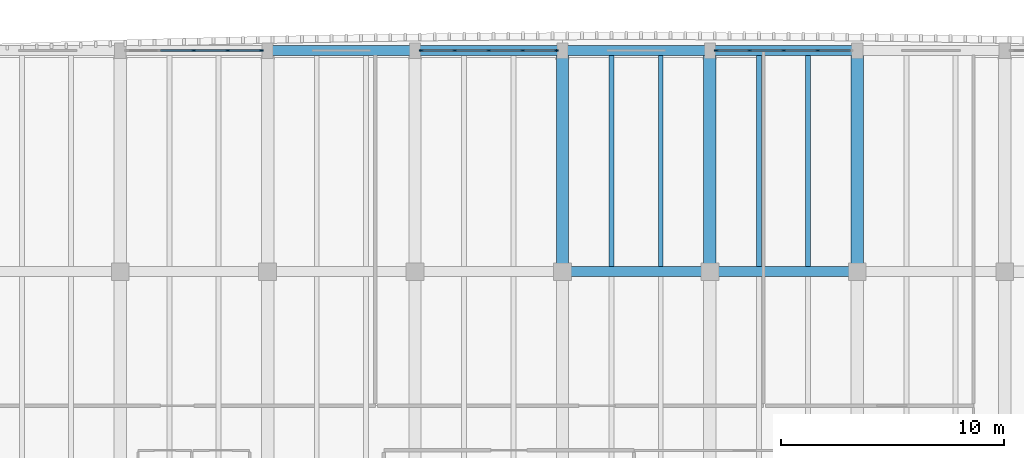
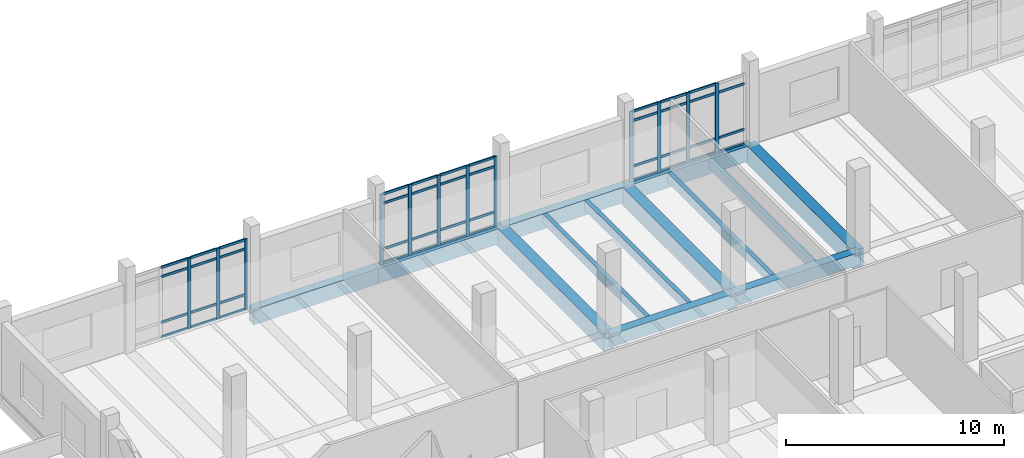
# One storey, part 44 of 101: 55 members, 13 beams, 3 elements without a shape of their own.
"""IFC4 building model written with IfcOpenShell, lengths in metres."""

from ifc_helpers import new_model, si_unit, direction, frame, origin, origin_2d, place, context, subcontext, project, spatial, rectangle, extrude, material, material_profile, profile_set, type_object, element, aggregate, save


model = new_model("IFC4")

# Units and contexts
model_context = context("Model", 3, precision=1e-05, world=origin(), true_north=direction((0.0, 1.0)))
body_context = subcontext(model_context, "Body", "Model", "MODEL_VIEW")
ifc_project = project(units=[si_unit("LENGTHUNIT", "METRE"), si_unit("AREAUNIT", "SQUARE_METRE"), si_unit("VOLUMEUNIT", "CUBIC_METRE"), si_unit("PLANEANGLEUNIT", "RADIAN"), si_unit("MASSUNIT", "GRAM", prefix="KILO")], contexts=[model_context])

# Site, building, storey
site_placement = place(None, origin())
site = spatial("IfcSite", under=ifc_project, at=site_placement, CompositionType="ELEMENT")
building_placement = place(site_placement, origin())
building = spatial("IfcBuilding", under=site, at=building_placement, Name="Dornvale Research Institute", CompositionType="ELEMENT")
storey_placement = place(building_placement, frame((0.0, 0.0, 10.199951171875)))
storey = spatial("IfcBuildingStorey", under=building, at=storey_placement, Name="L02", CompositionType="ELEMENT", Elevation=10.199951171875)

# Beams
ifc_material_1 = material(Name="Concrete f'c 45 MPa (C35/45)", Category="concrete")
ifc_material_profile_1 = material_profile(ifc_material_1, rectangle(XDim=0.449951171875, YDim=0.715087890625, at=origin_2d()), Name="RC 450x715")
ifc_profile_set_1 = profile_set([ifc_material_profile_1], Name="Concrete f'c 45 MPa (C35/45)")
beam_type_1 = type_object("IfcBeamType", Name="Beam_RC450x715_Lab", PredefinedType="BEAM", material=ifc_profile_set_1)
beam_1_placement = place(storey_placement, frame((145.199951171875, 112.199951171875, -0.357421875), z_axis=(1.0, 0.0, 0.0), x_axis=(0.0, 1.0, 0.0)))
element("IfcBeam", 1, at=beam_1_placement, inside=storey, type_object=beam_type_1, Name="L02 primary girder #657", PredefinedType="BEAM", context=body_context, shape_type="SweptSolid", body=[
    extrude(rectangle(XDim=0.449951171875, YDim=0.715087890625, at=origin_2d()), origin(), (0.0, 0.0, 1.0), 6.60009765625),
])
beam_2_placement = place(storey_placement, frame((151.800048828125, 112.199951171875, -0.357421875), z_axis=(1.0, 0.0, 0.0), x_axis=(0.0, 1.0, 0.0)))
element("IfcBeam", 2, at=beam_2_placement, inside=storey, type_object=beam_type_1, Name="L02 primary girder #658", PredefinedType="BEAM", context=body_context, shape_type="SweptSolid", body=[
    extrude(rectangle(XDim=0.449951171875, YDim=0.715087890625, at=origin_2d()), origin(), (0.0, 0.0, 1.0), 6.599853515625),
])
ifc_material_2 = material(Name="Concrete f'c 45 MPa (C35/45)", Category="concrete")
ifc_material_profile_2 = material_profile(ifc_material_2, rectangle(XDim=0.550048828125, YDim=1.0, at=origin_2d()), Name="RC 550x1000")
ifc_profile_set_2 = profile_set([ifc_material_profile_2], Name="Concrete f'c 45 MPa (C35/45)")
beam_type_2 = type_object("IfcBeamType", Name="Beam_RC550x1000_Girder", PredefinedType="BEAM", material=ifc_profile_set_2)
for number, where, z_axis, x_axis, name in (
    (3, (145.199951171875, 112.199951171875, -0.5), (0.0, 1.0, 0.0), (-1.0, 0.0, 0.0), "L02 transverse girder #684"),
    (4, (151.800048828125, 112.199951171875, -0.5), (0.0, 1.0, 0.0), (-1.0, 0.0, 0.0), "L02 transverse girder #687"),
    (5, (158.39990234375, 112.199951171875, -0.5), (0.0, 1.0, 0.0), (-1.0, 0.0, 0.0), "L02 transverse girder #689"),
):
    element("IfcBeam", number, at=place(storey_placement, frame(where, z_axis=z_axis, x_axis=x_axis)), inside=storey, type_object=beam_type_2, Name=name, PredefinedType="BEAM", context=body_context, shape_type="SweptSolid", body=[
        extrude(rectangle(XDim=0.550048828125, YDim=1.0, at=origin_2d()), origin(), (0.0, 0.0, 1.0), 9.900146484375),
    ])
ifc_material_3 = material(Name="Concrete f'c 45 MPa (C35/45)", Category="concrete")
ifc_material_profile_3 = material_profile(ifc_material_3, rectangle(XDim=0.219970703125, YDim=0.534912109375, at=origin_2d()), Name="RC 220x535")
ifc_profile_set_3 = profile_set([ifc_material_profile_3], Name="Concrete f'c 45 MPa (C35/45)")
beam_type_3 = type_object("IfcBeamType", Name="Joist_RC220x535_Waffle", PredefinedType="JOIST", material=ifc_profile_set_3)
for number, where, z_axis, x_axis, name in (
    (6, (147.39990234375, 112.425048828125, -0.267333984375), (0.0, 1.0, 0.0), (-1.0, 0.0, 0.0), "L02 laboratory waffle joist #336"),
    (7, (149.60009765625, 112.425048828125, -0.267333984375), (0.0, 1.0, 0.0), (-1.0, 0.0, 0.0), "L02 laboratory waffle joist #337"),
    (8, (154.0, 112.425048828125, -0.267333984375), (0.0, 1.0, 0.0), (-1.0, 0.0, 0.0), "L02 laboratory waffle joist #340"),
    (9, (156.199951171875, 112.425048828125, -0.267333984375), (0.0, 1.0, 0.0), (-1.0, 0.0, 0.0), "L02 laboratory waffle joist #341"),
):
    element("IfcBeam", number, at=place(storey_placement, frame(where, z_axis=z_axis, x_axis=x_axis)), inside=storey, type_object=beam_type_3, Name=name, PredefinedType="JOIST", context=body_context, shape_type="SweptSolid", body=[
        extrude(rectangle(XDim=0.219970703125, YDim=0.534912109375, at=origin_2d()), origin(), (0.0, 0.0, 1.0), 9.449951171875),
    ])

# Curtain wall, members
ifc_material_4 = material(Name="Low-E Argon Double Insulating Glazing Unit", Category="glass")
curtain_wall_type = type_object("IfcCurtainWallType", Name="UnitisedCurtainWall_V4_6100x3950", PredefinedType="USERDEFINED", material=ifc_material_4)
curtain_wall_1_placement = place(storey_placement, origin())
curtain_wall_1 = element("IfcCurtainWall", 10, at=curtain_wall_1_placement, inside=storey, type_object=curtain_wall_type, Name="L02 V4 unitised curtain wall CW-11 #82", ObjectType="UNITISED CURTAIN WALL", PredefinedType="USERDEFINED")
ifc_material_5 = material(Name="Anodized Aluminum AA 6063-T6 Thermally Broken Frame", Category="aluminium")
ifc_material_profile_4 = material_profile(ifc_material_5, rectangle(XDim=0.06494140625, YDim=0.179931640625, at=origin_2d()), Name="ALU MULLION 65x180")
ifc_profile_set_4 = profile_set([ifc_material_profile_4], Name="Anodized Aluminum AA 6063-T6 Thermally Broken Frame")
member_type_1 = type_object("IfcMemberType", Name="Mullion_CW_65x180", PredefinedType="MULLION", material=ifc_profile_set_4)
member_1_placement = place(storey_placement, frame((128.699951171875, 122.10009765625, 0.0), z_axis=(0.0, 0.0, 1.0), x_axis=(0.0, 1.0, 0.0)))
member_1 = element("IfcMember", 11, at=member_1_placement, type_object=member_type_1, Name="CW-11 mullion 3", PredefinedType="MULLION", context=body_context, shape_type="SweptSolid", body=[
    extrude(rectangle(XDim=0.06494140625, YDim=0.179931640625, at=origin_2d()), origin(), (0.0, 0.0, 1.0), 3.949951171875),
])
member_2_placement = place(storey_placement, frame((130.22509765625, 122.10009765625, 0.0), z_axis=(0.0, 0.0, 1.0), x_axis=(0.0, 1.0, 0.0)))
member_2 = element("IfcMember", 12, at=member_2_placement, type_object=member_type_1, Name="CW-11 mullion 4", PredefinedType="MULLION", context=body_context, shape_type="SweptSolid", body=[
    extrude(rectangle(XDim=0.06494140625, YDim=0.179931640625, at=origin_2d()), origin(), (0.0, 0.0, 1.0), 3.949951171875),
])
member_3_placement = place(storey_placement, frame((131.717529296875, 122.10009765625, 0.0), z_axis=(0.0, 0.0, 1.0), x_axis=(0.0, 1.0, 0.0)))
member_3 = element("IfcMember", 13, at=member_3_placement, type_object=member_type_1, Name="CW-11 mullion 5", PredefinedType="MULLION", context=body_context, shape_type="SweptSolid", body=[
    extrude(rectangle(XDim=0.06494140625, YDim=0.179931640625, at=origin_2d()), origin(), (0.0, 0.0, 1.0), 3.949951171875),
])

curtain_wall_2_placement = place(storey_placement, origin())
curtain_wall_2 = element("IfcCurtainWall", 14, at=curtain_wall_2_placement, inside=storey, type_object=curtain_wall_type, Name="L02 V4 unitised curtain wall CW-11 #83", ObjectType="UNITISED CURTAIN WALL", PredefinedType="USERDEFINED")
member_4_placement = place(storey_placement, frame((138.882568359375, 122.10009765625, 0.0), z_axis=(0.0, 0.0, 1.0), x_axis=(0.0, 1.0, 0.0)))
member_4 = element("IfcMember", 15, at=member_4_placement, type_object=member_type_1, Name="CW-11 mullion 1", PredefinedType="MULLION", context=body_context, shape_type="SweptSolid", body=[
    extrude(rectangle(XDim=0.06494140625, YDim=0.179931640625, at=origin_2d()), origin(), (0.0, 0.0, 1.0), 3.949951171875),
])
member_5_placement = place(storey_placement, frame((140.375, 122.10009765625, 0.0), z_axis=(0.0, 0.0, 1.0), x_axis=(0.0, 1.0, 0.0)))
member_5 = element("IfcMember", 16, at=member_5_placement, type_object=member_type_1, Name="CW-11 mullion 2", PredefinedType="MULLION", context=body_context, shape_type="SweptSolid", body=[
    extrude(rectangle(XDim=0.06494140625, YDim=0.179931640625, at=origin_2d()), origin(), (0.0, 0.0, 1.0), 3.949951171875),
])
member_6_placement = place(storey_placement, frame((141.89990234375, 122.10009765625, 0.0), z_axis=(0.0, 0.0, 1.0), x_axis=(0.0, 1.0, 0.0)))
member_6 = element("IfcMember", 17, at=member_6_placement, type_object=member_type_1, Name="CW-11 mullion 3", PredefinedType="MULLION", context=body_context, shape_type="SweptSolid", body=[
    extrude(rectangle(XDim=0.06494140625, YDim=0.179931640625, at=origin_2d()), origin(), (0.0, 0.0, 1.0), 3.949951171875),
])
member_7_placement = place(storey_placement, frame((143.425048828125, 122.10009765625, 0.0), z_axis=(0.0, 0.0, 1.0), x_axis=(0.0, 1.0, 0.0)))
member_7 = element("IfcMember", 18, at=member_7_placement, type_object=member_type_1, Name="CW-11 mullion 4", PredefinedType="MULLION", context=body_context, shape_type="SweptSolid", body=[
    extrude(rectangle(XDim=0.06494140625, YDim=0.179931640625, at=origin_2d()), origin(), (0.0, 0.0, 1.0), 3.949951171875),
])
member_8_placement = place(storey_placement, frame((144.91748046875, 122.10009765625, 0.0), z_axis=(0.0, 0.0, 1.0), x_axis=(0.0, 1.0, 0.0)))
member_8 = element("IfcMember", 19, at=member_8_placement, type_object=member_type_1, Name="CW-11 mullion 5", PredefinedType="MULLION", context=body_context, shape_type="SweptSolid", body=[
    extrude(rectangle(XDim=0.06494140625, YDim=0.179931640625, at=origin_2d()), origin(), (0.0, 0.0, 1.0), 3.949951171875),
])

curtain_wall_3_placement = place(storey_placement, origin())
curtain_wall_3 = element("IfcCurtainWall", 20, at=curtain_wall_3_placement, inside=storey, type_object=curtain_wall_type, Name="L02 V4 unitised curtain wall CW-11 #84", ObjectType="UNITISED CURTAIN WALL", PredefinedType="USERDEFINED")
member_9_placement = place(storey_placement, frame((152.08251953125, 122.10009765625, 0.0), z_axis=(0.0, 0.0, 1.0), x_axis=(0.0, 1.0, 0.0)))
member_9 = element("IfcMember", 21, at=member_9_placement, type_object=member_type_1, Name="CW-11 mullion 1", PredefinedType="MULLION", context=body_context, shape_type="SweptSolid", body=[
    extrude(rectangle(XDim=0.06494140625, YDim=0.179931640625, at=origin_2d()), origin(), (0.0, 0.0, 1.0), 3.949951171875),
])
member_10_placement = place(storey_placement, frame((153.574951171875, 122.10009765625, 0.0), z_axis=(0.0, 0.0, 1.0), x_axis=(0.0, 1.0, 0.0)))
member_10 = element("IfcMember", 22, at=member_10_placement, type_object=member_type_1, Name="CW-11 mullion 2", PredefinedType="MULLION", context=body_context, shape_type="SweptSolid", body=[
    extrude(rectangle(XDim=0.06494140625, YDim=0.179931640625, at=origin_2d()), origin(), (0.0, 0.0, 1.0), 3.949951171875),
])
member_11_placement = place(storey_placement, frame((155.10009765625, 122.10009765625, 0.0), z_axis=(0.0, 0.0, 1.0), x_axis=(0.0, 1.0, 0.0)))
member_11 = element("IfcMember", 23, at=member_11_placement, type_object=member_type_1, Name="CW-11 mullion 3", PredefinedType="MULLION", context=body_context, shape_type="SweptSolid", body=[
    extrude(rectangle(XDim=0.06494140625, YDim=0.179931640625, at=origin_2d()), origin(), (0.0, 0.0, 1.0), 3.949951171875),
])
member_12_placement = place(storey_placement, frame((156.625, 122.10009765625, 0.0), z_axis=(0.0, 0.0, 1.0), x_axis=(0.0, 1.0, 0.0)))
member_12 = element("IfcMember", 24, at=member_12_placement, type_object=member_type_1, Name="CW-11 mullion 4", PredefinedType="MULLION", context=body_context, shape_type="SweptSolid", body=[
    extrude(rectangle(XDim=0.06494140625, YDim=0.179931640625, at=origin_2d()), origin(), (0.0, 0.0, 1.0), 3.949951171875),
])

# Beams
ifc_material_6 = material(Name="Concrete f'c 45 MPa (C35/45)", Category="concrete")
ifc_material_profile_5 = material_profile(ifc_material_6, rectangle(XDim=0.449951171875, YDim=0.85009765625, at=origin_2d()), Name="RC 450x850")
ifc_profile_set_5 = profile_set([ifc_material_profile_5], Name="Concrete f'c 45 MPa (C35/45)")
beam_type_4 = type_object("IfcBeamType", Name="Spandrel_RC450x850_Ext", PredefinedType="SPANDREL", material=ifc_profile_set_5)
beam_3_placement = place(storey_placement, frame((132.0, 122.10009765625, -0.425048828125), z_axis=(1.0, 0.0, 0.0), x_axis=(0.0, 1.0, 0.0)))
element("IfcBeam", 25, at=beam_3_placement, inside=storey, type_object=beam_type_4, Name="L02 perimeter spandrel #664", PredefinedType="SPANDREL", context=body_context, shape_type="SweptSolid", body=[
    extrude(rectangle(XDim=0.449951171875, YDim=0.85009765625, at=origin_2d()), origin(), (0.0, 0.0, 1.0), 6.60009765625),
])
beam_4_placement = place(storey_placement, frame((138.60009765625, 122.10009765625, -0.425048828125), z_axis=(1.0, 0.0, 0.0), x_axis=(0.0, 1.0, 0.0)))
element("IfcBeam", 26, at=beam_4_placement, inside=storey, type_object=beam_type_4, Name="L02 perimeter spandrel #665", PredefinedType="SPANDREL", context=body_context, shape_type="SweptSolid", body=[
    extrude(rectangle(XDim=0.449951171875, YDim=0.85009765625, at=origin_2d()), origin(), (0.0, 0.0, 1.0), 6.599853515625),
])
beam_5_placement = place(storey_placement, frame((145.199951171875, 122.10009765625, -0.425048828125), z_axis=(1.0, 0.0, 0.0), x_axis=(0.0, 1.0, 0.0)))
element("IfcBeam", 27, at=beam_5_placement, inside=storey, type_object=beam_type_4, Name="L02 perimeter spandrel #666", PredefinedType="SPANDREL", context=body_context, shape_type="SweptSolid", body=[
    extrude(rectangle(XDim=0.449951171875, YDim=0.85009765625, at=origin_2d()), origin(), (0.0, 0.0, 1.0), 6.60009765625),
])
beam_6_placement = place(storey_placement, frame((151.800048828125, 122.10009765625, -0.425048828125), z_axis=(1.0, 0.0, 0.0), x_axis=(0.0, 1.0, 0.0)))
element("IfcBeam", 28, at=beam_6_placement, inside=storey, type_object=beam_type_4, Name="L02 perimeter spandrel #667", PredefinedType="SPANDREL", context=body_context, shape_type="SweptSolid", body=[
    extrude(rectangle(XDim=0.449951171875, YDim=0.85009765625, at=origin_2d()), origin(), (0.0, 0.0, 1.0), 6.599853515625),
])

# Member
ifc_material_7 = material(Name="Anodized Aluminum AA 6063-T6 Thermally Broken Frame", Category="aluminium")
ifc_material_profile_6 = material_profile(ifc_material_7, rectangle(XDim=0.06494140625, YDim=0.135009765625, at=origin_2d()), Name="ALU TRANSOM 65x135")
ifc_profile_set_6 = profile_set([ifc_material_profile_6], Name="Anodized Aluminum AA 6063-T6 Thermally Broken Frame")
member_type_2 = type_object("IfcMemberType", Name="Transom_CW_65x135", PredefinedType="USERDEFINED", material=ifc_profile_set_6)
member_13_placement = place(storey_placement, frame((127.20751953125, 122.10009765625, 0.032470703125), z_axis=(1.0, 0.0, 0.0), x_axis=(0.0, 1.0, 0.0)))
member_13 = element("IfcMember", 29, at=member_13_placement, type_object=member_type_2, Name="CW-11 transom 2.1", ObjectType="TRANSOM", PredefinedType="USERDEFINED", context=body_context, shape_type="SweptSolid", body=[
    extrude(rectangle(XDim=0.06494140625, YDim=0.135009765625, at=origin_2d()), origin(), (0.0, 0.0, 1.0), 1.4599609375),
])

member_14_placement = place(storey_placement, frame((127.20751953125, 122.10009765625, 0.85009765625), z_axis=(1.0, 0.0, 0.0), x_axis=(0.0, 1.0, 0.0)))
member_14 = element("IfcMember", 30, at=member_14_placement, type_object=member_type_2, Name="CW-11 transom 2.2", ObjectType="TRANSOM", PredefinedType="USERDEFINED", context=body_context, shape_type="SweptSolid", body=[
    extrude(rectangle(XDim=0.06494140625, YDim=0.135009765625, at=origin_2d()), origin(), (0.0, 0.0, 1.0), 1.4599609375),
])

member_15_placement = place(storey_placement, frame((127.20751953125, 122.10009765625, 3.400146484375), z_axis=(1.0, 0.0, 0.0), x_axis=(0.0, 1.0, 0.0)))
member_15 = element("IfcMember", 31, at=member_15_placement, type_object=member_type_2, Name="CW-11 transom 2.3", ObjectType="TRANSOM", PredefinedType="USERDEFINED", context=body_context, shape_type="SweptSolid", body=[
    extrude(rectangle(XDim=0.06494140625, YDim=0.135009765625, at=origin_2d()), origin(), (0.0, 0.0, 1.0), 1.4599609375),
])

member_16_placement = place(storey_placement, frame((127.20751953125, 122.10009765625, 3.91748046875), z_axis=(1.0, 0.0, 0.0), x_axis=(0.0, 1.0, 0.0)))
member_16 = element("IfcMember", 32, at=member_16_placement, type_object=member_type_2, Name="CW-11 transom 2.4", ObjectType="TRANSOM", PredefinedType="USERDEFINED", context=body_context, shape_type="SweptSolid", body=[
    extrude(rectangle(XDim=0.06494140625, YDim=0.135009765625, at=origin_2d()), origin(), (0.0, 0.0, 1.0), 1.4599609375),
])

member_17_placement = place(storey_placement, frame((128.732421875, 122.10009765625, 0.032470703125), z_axis=(1.0, 0.0, 0.0), x_axis=(0.0, 1.0, 0.0)))
member_17 = element("IfcMember", 33, at=member_17_placement, type_object=member_type_2, Name="CW-11 transom 3.1", ObjectType="TRANSOM", PredefinedType="USERDEFINED", context=body_context, shape_type="SweptSolid", body=[
    extrude(rectangle(XDim=0.06494140625, YDim=0.135009765625, at=origin_2d()), origin(), (0.0, 0.0, 1.0), 1.4599609375),
])

member_18_placement = place(storey_placement, frame((128.732421875, 122.10009765625, 0.85009765625), z_axis=(1.0, 0.0, 0.0), x_axis=(0.0, 1.0, 0.0)))
member_18 = element("IfcMember", 34, at=member_18_placement, type_object=member_type_2, Name="CW-11 transom 3.2", ObjectType="TRANSOM", PredefinedType="USERDEFINED", context=body_context, shape_type="SweptSolid", body=[
    extrude(rectangle(XDim=0.06494140625, YDim=0.135009765625, at=origin_2d()), origin(), (0.0, 0.0, 1.0), 1.4599609375),
])

member_19_placement = place(storey_placement, frame((128.732421875, 122.10009765625, 3.400146484375), z_axis=(1.0, 0.0, 0.0), x_axis=(0.0, 1.0, 0.0)))
member_19 = element("IfcMember", 35, at=member_19_placement, type_object=member_type_2, Name="CW-11 transom 3.3", ObjectType="TRANSOM", PredefinedType="USERDEFINED", context=body_context, shape_type="SweptSolid", body=[
    extrude(rectangle(XDim=0.06494140625, YDim=0.135009765625, at=origin_2d()), origin(), (0.0, 0.0, 1.0), 1.4599609375),
])

member_20_placement = place(storey_placement, frame((128.732421875, 122.10009765625, 3.91748046875), z_axis=(1.0, 0.0, 0.0), x_axis=(0.0, 1.0, 0.0)))
member_20 = element("IfcMember", 36, at=member_20_placement, type_object=member_type_2, Name="CW-11 transom 3.4", ObjectType="TRANSOM", PredefinedType="USERDEFINED", context=body_context, shape_type="SweptSolid", body=[
    extrude(rectangle(XDim=0.06494140625, YDim=0.135009765625, at=origin_2d()), origin(), (0.0, 0.0, 1.0), 1.4599609375),
])

member_21_placement = place(storey_placement, frame((130.257568359375, 122.10009765625, 0.032470703125), z_axis=(1.0, 0.0, 0.0), x_axis=(0.0, 1.0, 0.0)))
member_21 = element("IfcMember", 37, at=member_21_placement, type_object=member_type_2, Name="CW-11 transom 4.1", ObjectType="TRANSOM", PredefinedType="USERDEFINED", context=body_context, shape_type="SweptSolid", body=[
    extrude(rectangle(XDim=0.06494140625, YDim=0.135009765625, at=origin_2d()), origin(), (0.0, 0.0, 1.0), 1.427490234375),
])

member_22_placement = place(storey_placement, frame((130.257568359375, 122.10009765625, 0.85009765625), z_axis=(1.0, 0.0, 0.0), x_axis=(0.0, 1.0, 0.0)))
member_22 = element("IfcMember", 38, at=member_22_placement, type_object=member_type_2, Name="CW-11 transom 4.2", ObjectType="TRANSOM", PredefinedType="USERDEFINED", context=body_context, shape_type="SweptSolid", body=[
    extrude(rectangle(XDim=0.06494140625, YDim=0.135009765625, at=origin_2d()), origin(), (0.0, 0.0, 1.0), 1.427490234375),
])

member_23_placement = place(storey_placement, frame((130.257568359375, 122.10009765625, 3.400146484375), z_axis=(1.0, 0.0, 0.0), x_axis=(0.0, 1.0, 0.0)))
member_23 = element("IfcMember", 39, at=member_23_placement, type_object=member_type_2, Name="CW-11 transom 4.3", ObjectType="TRANSOM", PredefinedType="USERDEFINED", context=body_context, shape_type="SweptSolid", body=[
    extrude(rectangle(XDim=0.06494140625, YDim=0.135009765625, at=origin_2d()), origin(), (0.0, 0.0, 1.0), 1.427490234375),
])

member_24_placement = place(storey_placement, frame((130.257568359375, 122.10009765625, 3.91748046875), z_axis=(1.0, 0.0, 0.0), x_axis=(0.0, 1.0, 0.0)))
member_24 = element("IfcMember", 40, at=member_24_placement, type_object=member_type_2, Name="CW-11 transom 4.4", ObjectType="TRANSOM", PredefinedType="USERDEFINED", context=body_context, shape_type="SweptSolid", body=[
    extrude(rectangle(XDim=0.06494140625, YDim=0.135009765625, at=origin_2d()), origin(), (0.0, 0.0, 1.0), 1.427490234375),
])

aggregate(curtain_wall_1, [member_1, member_2, member_3, member_13, member_14, member_15, member_16, member_17, member_18, member_19, member_20, member_21, member_22, member_23, member_24])

member_25_placement = place(storey_placement, frame((138.9150390625, 122.10009765625, 0.032470703125), z_axis=(1.0, 0.0, 0.0), x_axis=(0.0, 1.0, 0.0)))
member_25 = element("IfcMember", 41, at=member_25_placement, type_object=member_type_2, Name="CW-11 transom 1.1", ObjectType="TRANSOM", PredefinedType="USERDEFINED", context=body_context, shape_type="SweptSolid", body=[
    extrude(rectangle(XDim=0.06494140625, YDim=0.135009765625, at=origin_2d()), origin(), (0.0, 0.0, 1.0), 1.427490234375),
])

member_26_placement = place(storey_placement, frame((138.9150390625, 122.10009765625, 0.85009765625), z_axis=(1.0, 0.0, 0.0), x_axis=(0.0, 1.0, 0.0)))
member_26 = element("IfcMember", 42, at=member_26_placement, type_object=member_type_2, Name="CW-11 transom 1.2", ObjectType="TRANSOM", PredefinedType="USERDEFINED", context=body_context, shape_type="SweptSolid", body=[
    extrude(rectangle(XDim=0.06494140625, YDim=0.135009765625, at=origin_2d()), origin(), (0.0, 0.0, 1.0), 1.427490234375),
])

member_27_placement = place(storey_placement, frame((138.9150390625, 122.10009765625, 3.400146484375), z_axis=(1.0, 0.0, 0.0), x_axis=(0.0, 1.0, 0.0)))
member_27 = element("IfcMember", 43, at=member_27_placement, type_object=member_type_2, Name="CW-11 transom 1.3", ObjectType="TRANSOM", PredefinedType="USERDEFINED", context=body_context, shape_type="SweptSolid", body=[
    extrude(rectangle(XDim=0.06494140625, YDim=0.135009765625, at=origin_2d()), origin(), (0.0, 0.0, 1.0), 1.427490234375),
])

member_28_placement = place(storey_placement, frame((138.9150390625, 122.10009765625, 3.91748046875), z_axis=(1.0, 0.0, 0.0), x_axis=(0.0, 1.0, 0.0)))
member_28 = element("IfcMember", 44, at=member_28_placement, type_object=member_type_2, Name="CW-11 transom 1.4", ObjectType="TRANSOM", PredefinedType="USERDEFINED", context=body_context, shape_type="SweptSolid", body=[
    extrude(rectangle(XDim=0.06494140625, YDim=0.135009765625, at=origin_2d()), origin(), (0.0, 0.0, 1.0), 1.427490234375),
])

member_29_placement = place(storey_placement, frame((140.407470703125, 122.10009765625, 0.032470703125), z_axis=(1.0, 0.0, 0.0), x_axis=(0.0, 1.0, 0.0)))
member_29 = element("IfcMember", 45, at=member_29_placement, type_object=member_type_2, Name="CW-11 transom 2.1", ObjectType="TRANSOM", PredefinedType="USERDEFINED", context=body_context, shape_type="SweptSolid", body=[
    extrude(rectangle(XDim=0.06494140625, YDim=0.135009765625, at=origin_2d()), origin(), (0.0, 0.0, 1.0), 1.4599609375),
])

member_30_placement = place(storey_placement, frame((140.407470703125, 122.10009765625, 0.85009765625), z_axis=(1.0, 0.0, 0.0), x_axis=(0.0, 1.0, 0.0)))
member_30 = element("IfcMember", 46, at=member_30_placement, type_object=member_type_2, Name="CW-11 transom 2.2", ObjectType="TRANSOM", PredefinedType="USERDEFINED", context=body_context, shape_type="SweptSolid", body=[
    extrude(rectangle(XDim=0.06494140625, YDim=0.135009765625, at=origin_2d()), origin(), (0.0, 0.0, 1.0), 1.4599609375),
])

member_31_placement = place(storey_placement, frame((140.407470703125, 122.10009765625, 3.400146484375), z_axis=(1.0, 0.0, 0.0), x_axis=(0.0, 1.0, 0.0)))
member_31 = element("IfcMember", 47, at=member_31_placement, type_object=member_type_2, Name="CW-11 transom 2.3", ObjectType="TRANSOM", PredefinedType="USERDEFINED", context=body_context, shape_type="SweptSolid", body=[
    extrude(rectangle(XDim=0.06494140625, YDim=0.135009765625, at=origin_2d()), origin(), (0.0, 0.0, 1.0), 1.4599609375),
])

member_32_placement = place(storey_placement, frame((140.407470703125, 122.10009765625, 3.91748046875), z_axis=(1.0, 0.0, 0.0), x_axis=(0.0, 1.0, 0.0)))
member_32 = element("IfcMember", 48, at=member_32_placement, type_object=member_type_2, Name="CW-11 transom 2.4", ObjectType="TRANSOM", PredefinedType="USERDEFINED", context=body_context, shape_type="SweptSolid", body=[
    extrude(rectangle(XDim=0.06494140625, YDim=0.135009765625, at=origin_2d()), origin(), (0.0, 0.0, 1.0), 1.4599609375),
])

member_33_placement = place(storey_placement, frame((141.9326171875, 122.10009765625, 0.032470703125), z_axis=(1.0, 0.0, 0.0), x_axis=(0.0, 1.0, 0.0)))
member_33 = element("IfcMember", 49, at=member_33_placement, type_object=member_type_2, Name="CW-11 transom 3.1", ObjectType="TRANSOM", PredefinedType="USERDEFINED", context=body_context, shape_type="SweptSolid", body=[
    extrude(rectangle(XDim=0.06494140625, YDim=0.135009765625, at=origin_2d()), origin(), (0.0, 0.0, 1.0), 1.4599609375),
])

member_34_placement = place(storey_placement, frame((141.9326171875, 122.10009765625, 0.85009765625), z_axis=(1.0, 0.0, 0.0), x_axis=(0.0, 1.0, 0.0)))
member_34 = element("IfcMember", 50, at=member_34_placement, type_object=member_type_2, Name="CW-11 transom 3.2", ObjectType="TRANSOM", PredefinedType="USERDEFINED", context=body_context, shape_type="SweptSolid", body=[
    extrude(rectangle(XDim=0.06494140625, YDim=0.135009765625, at=origin_2d()), origin(), (0.0, 0.0, 1.0), 1.4599609375),
])

member_35_placement = place(storey_placement, frame((141.9326171875, 122.10009765625, 3.400146484375), z_axis=(1.0, 0.0, 0.0), x_axis=(0.0, 1.0, 0.0)))
member_35 = element("IfcMember", 51, at=member_35_placement, type_object=member_type_2, Name="CW-11 transom 3.3", ObjectType="TRANSOM", PredefinedType="USERDEFINED", context=body_context, shape_type="SweptSolid", body=[
    extrude(rectangle(XDim=0.06494140625, YDim=0.135009765625, at=origin_2d()), origin(), (0.0, 0.0, 1.0), 1.4599609375),
])

member_36_placement = place(storey_placement, frame((141.9326171875, 122.10009765625, 3.91748046875), z_axis=(1.0, 0.0, 0.0), x_axis=(0.0, 1.0, 0.0)))
member_36 = element("IfcMember", 52, at=member_36_placement, type_object=member_type_2, Name="CW-11 transom 3.4", ObjectType="TRANSOM", PredefinedType="USERDEFINED", context=body_context, shape_type="SweptSolid", body=[
    extrude(rectangle(XDim=0.06494140625, YDim=0.135009765625, at=origin_2d()), origin(), (0.0, 0.0, 1.0), 1.4599609375),
])

member_37_placement = place(storey_placement, frame((143.45751953125, 122.10009765625, 0.032470703125), z_axis=(1.0, 0.0, 0.0), x_axis=(0.0, 1.0, 0.0)))
member_37 = element("IfcMember", 53, at=member_37_placement, type_object=member_type_2, Name="CW-11 transom 4.1", ObjectType="TRANSOM", PredefinedType="USERDEFINED", context=body_context, shape_type="SweptSolid", body=[
    extrude(rectangle(XDim=0.06494140625, YDim=0.135009765625, at=origin_2d()), origin(), (0.0, 0.0, 1.0), 1.427490234375),
])

member_38_placement = place(storey_placement, frame((143.45751953125, 122.10009765625, 0.85009765625), z_axis=(1.0, 0.0, 0.0), x_axis=(0.0, 1.0, 0.0)))
member_38 = element("IfcMember", 54, at=member_38_placement, type_object=member_type_2, Name="CW-11 transom 4.2", ObjectType="TRANSOM", PredefinedType="USERDEFINED", context=body_context, shape_type="SweptSolid", body=[
    extrude(rectangle(XDim=0.06494140625, YDim=0.135009765625, at=origin_2d()), origin(), (0.0, 0.0, 1.0), 1.427490234375),
])

member_39_placement = place(storey_placement, frame((143.45751953125, 122.10009765625, 3.400146484375), z_axis=(1.0, 0.0, 0.0), x_axis=(0.0, 1.0, 0.0)))
member_39 = element("IfcMember", 55, at=member_39_placement, type_object=member_type_2, Name="CW-11 transom 4.3", ObjectType="TRANSOM", PredefinedType="USERDEFINED", context=body_context, shape_type="SweptSolid", body=[
    extrude(rectangle(XDim=0.06494140625, YDim=0.135009765625, at=origin_2d()), origin(), (0.0, 0.0, 1.0), 1.427490234375),
])

member_40_placement = place(storey_placement, frame((143.45751953125, 122.10009765625, 3.91748046875), z_axis=(1.0, 0.0, 0.0), x_axis=(0.0, 1.0, 0.0)))
member_40 = element("IfcMember", 56, at=member_40_placement, type_object=member_type_2, Name="CW-11 transom 4.4", ObjectType="TRANSOM", PredefinedType="USERDEFINED", context=body_context, shape_type="SweptSolid", body=[
    extrude(rectangle(XDim=0.06494140625, YDim=0.135009765625, at=origin_2d()), origin(), (0.0, 0.0, 1.0), 1.427490234375),
])

aggregate(curtain_wall_2, [member_4, member_5, member_6, member_7, member_8, member_25, member_26, member_27, member_28, member_29, member_30, member_31, member_32, member_33, member_34, member_35, member_36, member_37, member_38, member_39, member_40])

member_41_placement = place(storey_placement, frame((152.114990234375, 122.10009765625, 0.032470703125), z_axis=(1.0, 0.0, 0.0), x_axis=(0.0, 1.0, 0.0)))
member_41 = element("IfcMember", 57, at=member_41_placement, type_object=member_type_2, Name="CW-11 transom 1.1", ObjectType="TRANSOM", PredefinedType="USERDEFINED", context=body_context, shape_type="SweptSolid", body=[
    extrude(rectangle(XDim=0.06494140625, YDim=0.135009765625, at=origin_2d()), origin(), (0.0, 0.0, 1.0), 1.427490234375),
])

member_42_placement = place(storey_placement, frame((152.114990234375, 122.10009765625, 0.85009765625), z_axis=(1.0, 0.0, 0.0), x_axis=(0.0, 1.0, 0.0)))
member_42 = element("IfcMember", 58, at=member_42_placement, type_object=member_type_2, Name="CW-11 transom 1.2", ObjectType="TRANSOM", PredefinedType="USERDEFINED", context=body_context, shape_type="SweptSolid", body=[
    extrude(rectangle(XDim=0.06494140625, YDim=0.135009765625, at=origin_2d()), origin(), (0.0, 0.0, 1.0), 1.427490234375),
])

member_43_placement = place(storey_placement, frame((152.114990234375, 122.10009765625, 3.400146484375), z_axis=(1.0, 0.0, 0.0), x_axis=(0.0, 1.0, 0.0)))
member_43 = element("IfcMember", 59, at=member_43_placement, type_object=member_type_2, Name="CW-11 transom 1.3", ObjectType="TRANSOM", PredefinedType="USERDEFINED", context=body_context, shape_type="SweptSolid", body=[
    extrude(rectangle(XDim=0.06494140625, YDim=0.135009765625, at=origin_2d()), origin(), (0.0, 0.0, 1.0), 1.427490234375),
])

member_44_placement = place(storey_placement, frame((152.114990234375, 122.10009765625, 3.91748046875), z_axis=(1.0, 0.0, 0.0), x_axis=(0.0, 1.0, 0.0)))
member_44 = element("IfcMember", 60, at=member_44_placement, type_object=member_type_2, Name="CW-11 transom 1.4", ObjectType="TRANSOM", PredefinedType="USERDEFINED", context=body_context, shape_type="SweptSolid", body=[
    extrude(rectangle(XDim=0.06494140625, YDim=0.135009765625, at=origin_2d()), origin(), (0.0, 0.0, 1.0), 1.427490234375),
])

member_45_placement = place(storey_placement, frame((153.607421875, 122.10009765625, 0.032470703125), z_axis=(1.0, 0.0, 0.0), x_axis=(0.0, 1.0, 0.0)))
member_45 = element("IfcMember", 61, at=member_45_placement, type_object=member_type_2, Name="CW-11 transom 2.1", ObjectType="TRANSOM", PredefinedType="USERDEFINED", context=body_context, shape_type="SweptSolid", body=[
    extrude(rectangle(XDim=0.06494140625, YDim=0.135009765625, at=origin_2d()), origin(), (0.0, 0.0, 1.0), 1.4599609375),
])

member_46_placement = place(storey_placement, frame((153.607421875, 122.10009765625, 0.85009765625), z_axis=(1.0, 0.0, 0.0), x_axis=(0.0, 1.0, 0.0)))
member_46 = element("IfcMember", 62, at=member_46_placement, type_object=member_type_2, Name="CW-11 transom 2.2", ObjectType="TRANSOM", PredefinedType="USERDEFINED", context=body_context, shape_type="SweptSolid", body=[
    extrude(rectangle(XDim=0.06494140625, YDim=0.135009765625, at=origin_2d()), origin(), (0.0, 0.0, 1.0), 1.4599609375),
])

member_47_placement = place(storey_placement, frame((153.607421875, 122.10009765625, 3.400146484375), z_axis=(1.0, 0.0, 0.0), x_axis=(0.0, 1.0, 0.0)))
member_47 = element("IfcMember", 63, at=member_47_placement, type_object=member_type_2, Name="CW-11 transom 2.3", ObjectType="TRANSOM", PredefinedType="USERDEFINED", context=body_context, shape_type="SweptSolid", body=[
    extrude(rectangle(XDim=0.06494140625, YDim=0.135009765625, at=origin_2d()), origin(), (0.0, 0.0, 1.0), 1.4599609375),
])

member_48_placement = place(storey_placement, frame((153.607421875, 122.10009765625, 3.91748046875), z_axis=(1.0, 0.0, 0.0), x_axis=(0.0, 1.0, 0.0)))
member_48 = element("IfcMember", 64, at=member_48_placement, type_object=member_type_2, Name="CW-11 transom 2.4", ObjectType="TRANSOM", PredefinedType="USERDEFINED", context=body_context, shape_type="SweptSolid", body=[
    extrude(rectangle(XDim=0.06494140625, YDim=0.135009765625, at=origin_2d()), origin(), (0.0, 0.0, 1.0), 1.4599609375),
])

member_49_placement = place(storey_placement, frame((155.132568359375, 122.10009765625, 0.032470703125), z_axis=(1.0, 0.0, 0.0), x_axis=(0.0, 1.0, 0.0)))
member_49 = element("IfcMember", 65, at=member_49_placement, type_object=member_type_2, Name="CW-11 transom 3.1", ObjectType="TRANSOM", PredefinedType="USERDEFINED", context=body_context, shape_type="SweptSolid", body=[
    extrude(rectangle(XDim=0.06494140625, YDim=0.135009765625, at=origin_2d()), origin(), (0.0, 0.0, 1.0), 1.4599609375),
])

member_50_placement = place(storey_placement, frame((155.132568359375, 122.10009765625, 0.85009765625), z_axis=(1.0, 0.0, 0.0), x_axis=(0.0, 1.0, 0.0)))
member_50 = element("IfcMember", 66, at=member_50_placement, type_object=member_type_2, Name="CW-11 transom 3.2", ObjectType="TRANSOM", PredefinedType="USERDEFINED", context=body_context, shape_type="SweptSolid", body=[
    extrude(rectangle(XDim=0.06494140625, YDim=0.135009765625, at=origin_2d()), origin(), (0.0, 0.0, 1.0), 1.4599609375),
])

member_51_placement = place(storey_placement, frame((155.132568359375, 122.10009765625, 3.400146484375), z_axis=(1.0, 0.0, 0.0), x_axis=(0.0, 1.0, 0.0)))
member_51 = element("IfcMember", 67, at=member_51_placement, type_object=member_type_2, Name="CW-11 transom 3.3", ObjectType="TRANSOM", PredefinedType="USERDEFINED", context=body_context, shape_type="SweptSolid", body=[
    extrude(rectangle(XDim=0.06494140625, YDim=0.135009765625, at=origin_2d()), origin(), (0.0, 0.0, 1.0), 1.4599609375),
])

member_52_placement = place(storey_placement, frame((155.132568359375, 122.10009765625, 3.91748046875), z_axis=(1.0, 0.0, 0.0), x_axis=(0.0, 1.0, 0.0)))
member_52 = element("IfcMember", 68, at=member_52_placement, type_object=member_type_2, Name="CW-11 transom 3.4", ObjectType="TRANSOM", PredefinedType="USERDEFINED", context=body_context, shape_type="SweptSolid", body=[
    extrude(rectangle(XDim=0.06494140625, YDim=0.135009765625, at=origin_2d()), origin(), (0.0, 0.0, 1.0), 1.4599609375),
])

member_53_placement = place(storey_placement, frame((156.657470703125, 122.10009765625, 0.032470703125), z_axis=(1.0, 0.0, 0.0), x_axis=(0.0, 1.0, 0.0)))
member_53 = element("IfcMember", 69, at=member_53_placement, type_object=member_type_2, Name="CW-11 transom 4.1", ObjectType="TRANSOM", PredefinedType="USERDEFINED", context=body_context, shape_type="SweptSolid", body=[
    extrude(rectangle(XDim=0.06494140625, YDim=0.135009765625, at=origin_2d()), origin(), (0.0, 0.0, 1.0), 1.427490234375),
])

member_54_placement = place(storey_placement, frame((156.657470703125, 122.10009765625, 0.85009765625), z_axis=(1.0, 0.0, 0.0), x_axis=(0.0, 1.0, 0.0)))
member_54 = element("IfcMember", 70, at=member_54_placement, type_object=member_type_2, Name="CW-11 transom 4.2", ObjectType="TRANSOM", PredefinedType="USERDEFINED", context=body_context, shape_type="SweptSolid", body=[
    extrude(rectangle(XDim=0.06494140625, YDim=0.135009765625, at=origin_2d()), origin(), (0.0, 0.0, 1.0), 1.427490234375),
])

member_55_placement = place(storey_placement, frame((156.657470703125, 122.10009765625, 3.400146484375), z_axis=(1.0, 0.0, 0.0), x_axis=(0.0, 1.0, 0.0)))
member_55 = element("IfcMember", 71, at=member_55_placement, type_object=member_type_2, Name="CW-11 transom 4.3", ObjectType="TRANSOM", PredefinedType="USERDEFINED", context=body_context, shape_type="SweptSolid", body=[
    extrude(rectangle(XDim=0.06494140625, YDim=0.135009765625, at=origin_2d()), origin(), (0.0, 0.0, 1.0), 1.427490234375),
])

aggregate(curtain_wall_3, [member_9, member_10, member_11, member_12, member_41, member_42, member_43, member_44, member_45, member_46, member_47, member_48, member_49, member_50, member_51, member_52, member_53, member_54, member_55])

save(model, "model.ifc")
